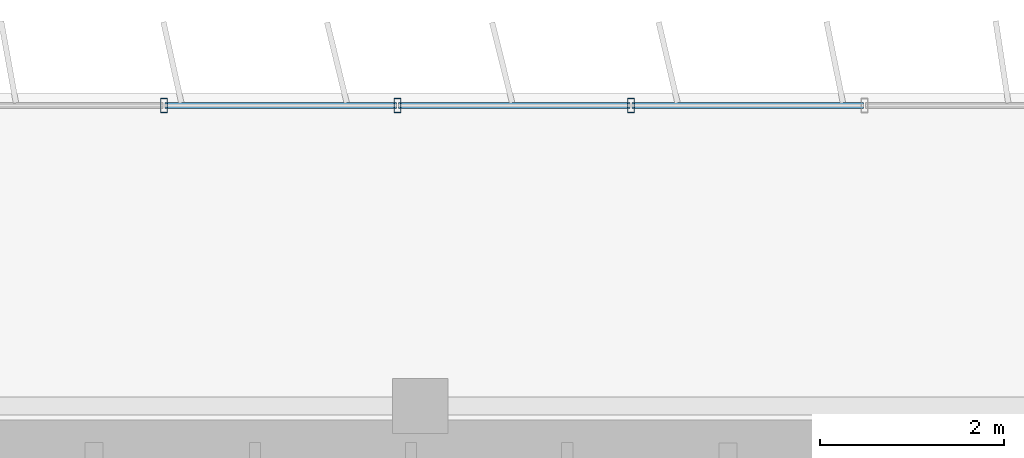
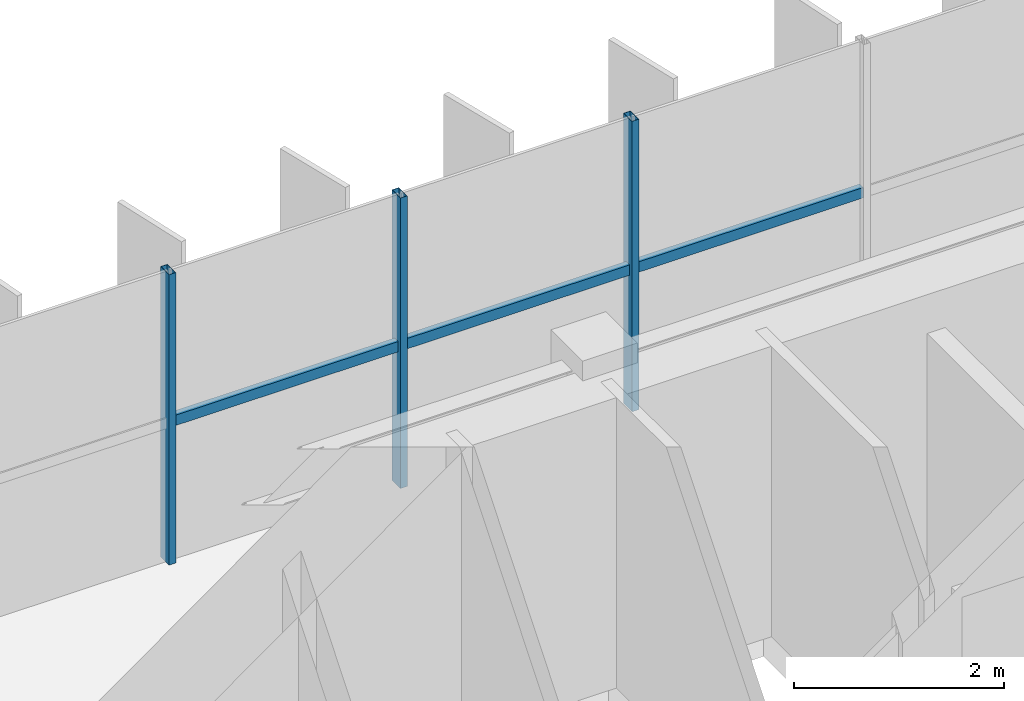
# One storey, part 11 of 21: 6 members, 1 element without a shape of its own.
"""IFC4 building model written with IfcOpenShell, lengths in metres."""

import ifcopenshell
import ifcopenshell.guid

model = None  # the IFC model being written
_history = None  # IfcOwnerHistory: only IFC2X3 demands one
_inside = {}  # id of a spatial element -> (the spatial element, [elements in it])
_under = {}  # id of a project, library or spatial element -> (it, [spatial elements below it])
_declared = {}  # id of a project -> (the project, [libraries it declares])
_typed = {}  # id of a type object -> (the type object, [elements of that type])
_made_of = {}  # id of a material, layer set ... -> (it, [elements and type objects made of it])


def new_model(schema):
    """Start an empty IFC model of exactly this schema.

    Asked for "IFC4X3", IfcOpenShell would pick the latest addendum, in which some entities
    have other attributes; the version numbers below select the first issue.
    IFC2X3 requires an IfcOwnerHistory on every rooted entity: one is made here for all.
    """
    global model, _history
    if schema == "IFC4X3":
        model = ifcopenshell.file(schema_version=(4, 3, 0, 0))
    else:
        model = ifcopenshell.file(schema=schema)
    _inside.clear()
    _under.clear()
    _declared.clear()
    _typed.clear()
    _made_of.clear()
    _history = None
    if model.schema == "IFC2X3":
        org = make("IfcOrganization", Name="unknown")
        user = make(
            "IfcPersonAndOrganization",
            ThePerson=make("IfcPerson", FamilyName="unknown"),
            TheOrganization=org,
        )
        app = make(
            "IfcApplication",
            ApplicationDeveloper=org,
            Version="unknown",
            ApplicationFullName="unknown",
            ApplicationIdentifier="unknown",
        )
        _history = make(
            "IfcOwnerHistory",
            OwningUser=user,
            OwningApplication=app,
            ChangeAction="ADDED",
            CreationDate=0,
        )
    return model


def make(cls, **values):
    """One entity of the class cls with the attributes given. An attribute that is None is left unset."""
    return model.create_entity(
        cls, **{name: value for name, value in values.items() if value is not None}
    )


def rooted(cls, **values):
    """An entity with a GlobalId (a new one), such as an element, a storey or a relation."""
    return make(cls, GlobalId=ifcopenshell.guid.new(), OwnerHistory=_history, **values)


def si_unit(unit_type, name, prefix=None):
    """IfcSIUnit, for example si_unit("LENGTHUNIT", "METRE", prefix="MILLI")."""
    return make("IfcSIUnit", UnitType=unit_type, Prefix=prefix, Name=name)


def assignment(units):
    """IfcUnitAssignment: the units of a project."""
    return None if units is None else make("IfcUnitAssignment", Units=units)


def point(xyz):
    """IfcCartesianPoint."""
    return None if xyz is None else make("IfcCartesianPoint", Coordinates=xyz)


def direction(xyz):
    """IfcDirection."""
    return None if xyz is None else make("IfcDirection", DirectionRatios=xyz)


def frame(location, z_axis=None, x_axis=None):
    """IfcAxis2Placement3D, a coordinate frame: its origin and axes. An axis left out is left unset."""
    return make(
        "IfcAxis2Placement3D",
        Location=point(location),
        Axis=direction(z_axis),
        RefDirection=direction(x_axis),
    )


def frame_2d(location, x_axis=None):
    """IfcAxis2Placement2D, a coordinate frame in the plane: its origin and x axis."""
    return make(
        "IfcAxis2Placement2D", Location=point(location), RefDirection=direction(x_axis)
    )


def origin():
    """The frame at (0, 0, 0) with its axes left unset."""
    return frame((0.0, 0.0, 0.0))


def origin_2d():
    """The frame at (0, 0) in the plane with its x axis left unset."""
    return frame_2d((0.0, 0.0))


def place(relative_to, where):
    """IfcLocalPlacement: puts the frame where relative to a parent placement (None: the world)."""
    return make(
        "IfcLocalPlacement", PlacementRelTo=relative_to, RelativePlacement=where
    )


def context(
    kind, dimensions, precision=None, world=None, true_north=None, identifier=None
):
    """IfcGeometricRepresentationContext, for example the 3D "Model" context."""
    return make(
        "IfcGeometricRepresentationContext",
        ContextIdentifier=identifier,
        ContextType=kind,
        CoordinateSpaceDimension=dimensions,
        Precision=precision,
        WorldCoordinateSystem=world,
        TrueNorth=true_north,
    )


def subcontext(parent, identifier, kind, view, scale=None):
    """IfcGeometricRepresentationSubContext, for example "Body" below "Model"."""
    return make(
        "IfcGeometricRepresentationSubContext",
        ContextIdentifier=identifier,
        ContextType=kind,
        ParentContext=parent,
        TargetScale=scale,
        TargetView=view,
    )


def project(units=None, contexts=None):
    """IfcProject with its units and contexts."""
    return rooted(
        "IfcProject",
        Name="project",
        RepresentationContexts=contexts,
        UnitsInContext=assignment(units),
    )


def spatial(cls, under=None, at=None, **own):
    """A site, building, storey or space (cls), placed at a placement, below another one or the project."""
    s = rooted(cls, ObjectPlacement=at, **own)
    if under is not None:
        _under.setdefault(under.id(), (under, []))[1].append(s)
    return s


def profile(cls, at=None, kind="AREA", **sizes):
    """A parametric profile (cls). Its sizes go by their IFC names, for example OverallWidth=200.0."""
    return make(cls, ProfileType=kind, Position=at, **sizes)


def hollow_rectangle(**sizes):
    """IfcRectangleHollowProfileDef."""
    return profile("IfcRectangleHollowProfileDef", **sizes)


def extrude(swept, where, along, depth):
    """IfcExtrudedAreaSolid: the profile swept, set in the frame where, extruded along a direction by depth."""
    return make(
        "IfcExtrudedAreaSolid",
        SweptArea=swept,
        Position=where,
        ExtrudedDirection=direction(along),
        Depth=depth,
    )


def shape(context_of_items, identifier, shape_type, items):
    """IfcShapeRepresentation: the items that make up one representation, for example the "Body"."""
    return make(
        "IfcShapeRepresentation",
        ContextOfItems=context_of_items,
        RepresentationIdentifier=identifier,
        RepresentationType=shape_type,
        Items=items,
    )


def source(mapping_origin, context_of_items, identifier, shape_type, items):
    """IfcRepresentationMap: a shape defined once, which mapped items show again and again."""
    return make(
        "IfcRepresentationMap",
        MappingOrigin=mapping_origin,
        MappedRepresentation=shape(context_of_items, identifier, shape_type, items),
    )


def transform(
    local_origin,
    x_axis=None,
    y_axis=None,
    z_axis=None,
    scale=None,
    scale2=None,
    scale3=None,
    uniform=True,
):
    """IfcCartesianTransformationOperator3D, or its non-uniform kind. x_axis, y_axis, z_axis: its Axis1, 2, 3."""
    if uniform:
        return make(
            "IfcCartesianTransformationOperator3D",
            Axis1=direction(x_axis),
            Axis2=direction(y_axis),
            LocalOrigin=point(local_origin),
            Scale=scale,
            Axis3=direction(z_axis),
        )
    return make(
        "IfcCartesianTransformationOperator3DnonUniform",
        Axis1=direction(x_axis),
        Axis2=direction(y_axis),
        LocalOrigin=point(local_origin),
        Scale=scale,
        Axis3=direction(z_axis),
        Scale2=scale2,
        Scale3=scale3,
    )


def mapped(mapping_source, mapping_target):
    """IfcMappedItem: shows the shape of a source again, moved by a transform."""
    return make(
        "IfcMappedItem", MappingSource=mapping_source, MappingTarget=mapping_target
    )


def material(Name=None, Category=None):
    """IfcMaterial."""
    return make("IfcMaterial", Name=Name, Category=Category)


def material_profile(
    of_material, cross_section, Name=None, Category=None, Priority=None
):
    """IfcMaterialProfile: a cross section and its material."""
    return make(
        "IfcMaterialProfile",
        Name=Name,
        Material=of_material,
        Profile=cross_section,
        Priority=Priority,
        Category=Category,
    )


def profile_set(profiles, Name=None, composite=None):
    """IfcMaterialProfileSet."""
    return make(
        "IfcMaterialProfileSet",
        Name=Name,
        MaterialProfiles=profiles,
        CompositeProfile=composite,
    )


def made_of(thing, what):
    """Note that an element or type object is made of a material, layer set ...; save() writes the relation."""
    if what is not None:
        _made_of.setdefault(what.id(), (what, []))[1].append(thing)
    return thing


def type_object(cls, material=None, **own):
    """A type object (cls), such as IfcWallType, which elements share."""
    return made_of(rooted(cls, **own), material)


def element(
    cls,
    number,
    at=None,
    inside=None,
    cuts=None,
    type_object=None,
    material=None,
    context=None,
    identifier="Body",
    shape_type=None,
    held_by="IfcProductDefinitionShape",
    body=None,
    shapes=None,
    **own,
):
    """One element of the class cls, such as IfcWall. Its Tag is "e" and its number.

    at: its placement. inside: the storey or other place that contains it. cuts: it is an
    opening in that element (IfcRelVoidsElement). A single representation is given by context,
    identifier, shape_type and body (its items); several are given by shapes. held_by: the class
    of the entity that holds the representations. save() writes the other relations.
    """
    e = rooted(cls, Tag="e%d" % number, ObjectPlacement=at, **own)
    if body is not None:
        shapes = [shape(context, identifier, shape_type, body)]
    if shapes is not None:
        e.Representation = make(held_by, Representations=shapes)
    if inside is not None:
        _inside.setdefault(inside.id(), (inside, []))[1].append(e)
    if cuts is not None:
        rooted(
            "IfcRelVoidsElement", RelatingBuildingElement=cuts, RelatedOpeningElement=e
        )
    if type_object is not None:
        _typed.setdefault(type_object.id(), (type_object, []))[1].append(e)
    return made_of(e, material)


def aggregate(whole, parts):
    """IfcRelAggregates: a whole, such as a stair, and the parts it consists of."""
    return rooted("IfcRelAggregates", RelatingObject=whole, RelatedObjects=parts)


def save(model, path):
    """Write the relations noted so far, then the file.

    IfcRelAggregates (storeys below a building ...), IfcRelContainedInSpatialStructure (elements
    in a storey), IfcRelDefinesByType, IfcRelAssociatesMaterial and IfcRelDeclares: one each for
    every whole, place, type object, material and project.
    """
    for whole, parts in _under.values():
        aggregate(whole, parts)
    for where, things in _inside.values():
        rooted(
            "IfcRelContainedInSpatialStructure",
            RelatedElements=things,
            RelatingStructure=where,
        )
    for kind, things in _typed.values():
        rooted("IfcRelDefinesByType", RelatedObjects=things, RelatingType=kind)
    for what, things in _made_of.values():
        rooted("IfcRelAssociatesMaterial", RelatedObjects=things, RelatingMaterial=what)
    for by, libraries in _declared.values():
        rooted("IfcRelDeclares", RelatingContext=by, RelatedDefinitions=libraries)
    model.write(path)


model = new_model("IFC4")

# Units and contexts
model_context = context("Model", 3, precision=1e-05, world=origin(), true_north=direction((0.0, 1.0)))
body_context = subcontext(model_context, "Body", "Model", "MODEL_VIEW")
ifc_project = project(units=[si_unit("LENGTHUNIT", "METRE"), si_unit("AREAUNIT", "SQUARE_METRE"), si_unit("VOLUMEUNIT", "CUBIC_METRE"), si_unit("PLANEANGLEUNIT", "RADIAN"), si_unit("MASSUNIT", "GRAM", prefix="KILO")], contexts=[model_context])

# Site, building, storey
site_placement = place(None, origin())
site = spatial("IfcSite", under=ifc_project, at=site_placement, CompositionType="ELEMENT")
building_placement = place(site_placement, origin())
building = spatial("IfcBuilding", under=site, at=building_placement, Name="Trelvane Seafront Commons", CompositionType="ELEMENT")
storey_placement = place(building_placement, frame((0.0, 0.0, 248.699951171875)))
storey = spatial("IfcBuildingStorey", under=building, at=storey_placement, Name="L64", CompositionType="ELEMENT", Elevation=248.699951171875)

# Curtain wall, members
ifc_material = material(Name="Anodised pale-silver aluminium", Category="aluminium")
curtain_wall_type = type_object("IfcCurtainWallType", Name="ARCH-CW5-UPTOWER", PredefinedType="NOTDEFINED", material=ifc_material)
curtain_wall_placement = place(storey_placement, origin())
curtain_wall = element("IfcCurtainWall", 1, at=curtain_wall_placement, inside=storey, type_object=curtain_wall_type, Name="CW-L64-0108", PredefinedType="NOTDEFINED")
ifc_material_profile_1 = material_profile(ifc_material, hollow_rectangle(XDim=0.070068359375, YDim=0.1201171875, WallThickness=0.00390625, at=origin_2d()), Name="TRAN-70x120x4")
ifc_profile_set_1 = profile_set([ifc_material_profile_1], Name="Anodised pale-silver aluminium")
member_type_1 = type_object("IfcMemberType", Name="ARCH-CW-TRAN-120", PredefinedType="USERDEFINED", material=ifc_profile_set_1)
shared_shape_1 = source(origin(), body_context, "Body", "SweptSolid", [
    extrude(hollow_rectangle(XDim=0.070068359375, YDim=0.1201171875, WallThickness=0.00390625, at=origin_2d()), origin(), (0.0, 0.0, 1.0), 2.51708984375),
])
member_1_placement = place(storey_placement, frame((43.56494140625, 48.3701171875, 1.6181640625), z_axis=(1.0, 0.0, 0.0), x_axis=(0.0, 1.0, 0.0)))
member_1 = element("IfcMember", 2, at=member_1_placement, type_object=member_type_1, Name="CW-L64-0108-T11", ObjectType="TRANSOM", PredefinedType="USERDEFINED", context=body_context, shape_type="MappedRepresentation", body=[
    mapped(shared_shape_1, transform((0.0, 0.0, 0.0), x_axis=(1.0, 0.0, 0.0), y_axis=(0.0, 1.0, 0.0), z_axis=(0.0, 0.0, 1.0), scale=1.0)),
])
member_2_placement = place(storey_placement, frame((46.106201171875, 48.3701171875, 1.6181640625), z_axis=(1.0, 0.0, 0.0), x_axis=(0.0, 1.0, 0.0)))
member_2 = element("IfcMember", 3, at=member_2_placement, type_object=member_type_1, Name="CW-L64-0108-T12", ObjectType="TRANSOM", PredefinedType="USERDEFINED", context=body_context, shape_type="MappedRepresentation", body=[
    mapped(shared_shape_1, transform((0.0, 0.0, 0.0), x_axis=(1.0, 0.0, 0.0), y_axis=(0.0, 1.0, 0.0), z_axis=(0.0, 0.0, 1.0), scale=1.0)),
])
shared_shape_2 = source(origin(), body_context, "Body", "SweptSolid", [
    extrude(hollow_rectangle(XDim=0.070068359375, YDim=0.1201171875, WallThickness=0.00390625, at=origin_2d()), origin(), (0.0, 0.0, 1.0), 2.517333984375),
])
member_3_placement = place(storey_placement, frame((41.023681640625, 48.3701171875, 1.6181640625), z_axis=(1.0, 0.0, 0.0), x_axis=(0.0, 1.0, 0.0)))
member_3 = element("IfcMember", 4, at=member_3_placement, type_object=member_type_1, Name="CW-L64-0108-T10", ObjectType="TRANSOM", PredefinedType="USERDEFINED", context=body_context, shape_type="MappedRepresentation", body=[
    mapped(shared_shape_2, transform((0.0, 0.0, 0.0), x_axis=(1.0, 0.0, 0.0), y_axis=(0.0, 1.0, 0.0), z_axis=(0.0, 0.0, 1.0), scale=1.0)),
])
ifc_material_profile_2 = material_profile(ifc_material, hollow_rectangle(XDim=0.074951171875, YDim=0.159912109375, WallThickness=0.00390625, at=origin_2d()), Name="MULL-75x160x4")
ifc_profile_set_2 = profile_set([ifc_material_profile_2], Name="Anodised pale-silver aluminium")
member_type_2 = type_object("IfcMemberType", Name="ARCH-CW-MULL-160", PredefinedType="MULLION", material=ifc_profile_set_2)
shared_shape_3 = source(origin(), body_context, "Body", "SweptSolid", [
    extrude(hollow_rectangle(XDim=0.074951171875, YDim=0.159912109375, WallThickness=0.00390625, at=origin_2d()), origin(), (0.0, 0.0, 1.0), 3.3701171875),
])
member_4_placement = place(storey_placement, frame((41.01171875, 48.3701171875, 0.0), z_axis=(0.0, 0.0, 1.0), x_axis=(1.0, 0.0, 0.0)))
member_4 = element("IfcMember", 5, at=member_4_placement, type_object=member_type_2, Name="CW-L64-0108-M10", PredefinedType="MULLION", context=body_context, shape_type="MappedRepresentation", body=[
    mapped(shared_shape_3, transform((0.0, 0.0, 0.0), x_axis=(1.0, 0.0, 0.0), y_axis=(0.0, 1.0, 0.0), z_axis=(0.0, 0.0, 1.0), scale=1.0)),
])
member_5_placement = place(storey_placement, frame((43.552978515625, 48.3701171875, 0.0), z_axis=(0.0, 0.0, 1.0), x_axis=(1.0, 0.0, 0.0)))
member_5 = element("IfcMember", 6, at=member_5_placement, type_object=member_type_2, Name="CW-L64-0108-M11", PredefinedType="MULLION", context=body_context, shape_type="MappedRepresentation", body=[
    mapped(shared_shape_3, transform((0.0, 0.0, 0.0), x_axis=(1.0, 0.0, 0.0), y_axis=(0.0, 1.0, 0.0), z_axis=(0.0, 0.0, 1.0), scale=1.0)),
])
member_6_placement = place(storey_placement, frame((46.093994140625, 48.3701171875, 0.0), z_axis=(0.0, 0.0, 1.0), x_axis=(1.0, 0.0, 0.0)))
member_6 = element("IfcMember", 7, at=member_6_placement, type_object=member_type_2, Name="CW-L64-0108-M12", PredefinedType="MULLION", context=body_context, shape_type="MappedRepresentation", body=[
    mapped(shared_shape_3, transform((0.0, 0.0, 0.0), x_axis=(1.0, 0.0, 0.0), y_axis=(0.0, 1.0, 0.0), z_axis=(0.0, 0.0, 1.0), scale=1.0)),
])
aggregate(curtain_wall, [member_4, member_5, member_6, member_3, member_1, member_2])

save(model, "model.ifc")
